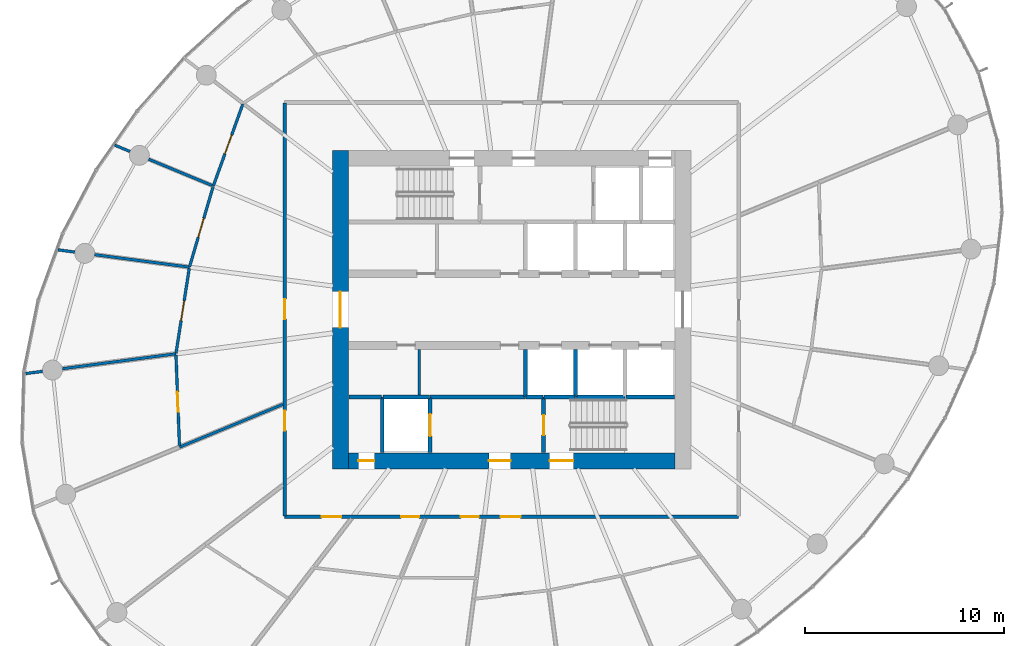
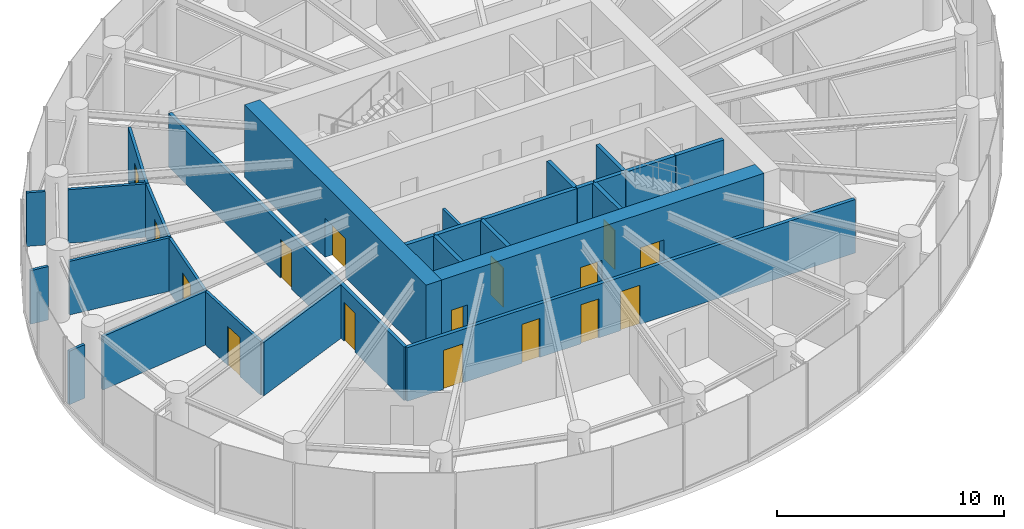
# One storey, part 9 of 14: 28 walls, 16 doors, 16 openings.
"""IFC4 building model written with IfcOpenShell, lengths in metres."""

import ifcopenshell
import ifcopenshell.guid

model = None  # the IFC model being written
_history = None  # IfcOwnerHistory: only IFC2X3 demands one
_inside = {}  # id of a spatial element -> (the spatial element, [elements in it])
_under = {}  # id of a project, library or spatial element -> (it, [spatial elements below it])
_declared = {}  # id of a project -> (the project, [libraries it declares])
_typed = {}  # id of a type object -> (the type object, [elements of that type])
_made_of = {}  # id of a material, layer set ... -> (it, [elements and type objects made of it])


def new_model(schema):
    """Start an empty IFC model of exactly this schema.

    Asked for "IFC4X3", IfcOpenShell would pick the latest addendum, in which some entities
    have other attributes; the version numbers below select the first issue.
    IFC2X3 requires an IfcOwnerHistory on every rooted entity: one is made here for all.
    """
    global model, _history
    if schema == "IFC4X3":
        model = ifcopenshell.file(schema_version=(4, 3, 0, 0))
    else:
        model = ifcopenshell.file(schema=schema)
    _inside.clear()
    _under.clear()
    _declared.clear()
    _typed.clear()
    _made_of.clear()
    _history = None
    if model.schema == "IFC2X3":
        org = make("IfcOrganization", Name="unknown")
        user = make(
            "IfcPersonAndOrganization",
            ThePerson=make("IfcPerson", FamilyName="unknown"),
            TheOrganization=org,
        )
        app = make(
            "IfcApplication",
            ApplicationDeveloper=org,
            Version="unknown",
            ApplicationFullName="unknown",
            ApplicationIdentifier="unknown",
        )
        _history = make(
            "IfcOwnerHistory",
            OwningUser=user,
            OwningApplication=app,
            ChangeAction="ADDED",
            CreationDate=0,
        )
    return model


def make(cls, **values):
    """One entity of the class cls with the attributes given. An attribute that is None is left unset."""
    return model.create_entity(
        cls, **{name: value for name, value in values.items() if value is not None}
    )


def rooted(cls, **values):
    """An entity with a GlobalId (a new one), such as an element, a storey or a relation."""
    return make(cls, GlobalId=ifcopenshell.guid.new(), OwnerHistory=_history, **values)


def si_unit(unit_type, name, prefix=None):
    """IfcSIUnit, for example si_unit("LENGTHUNIT", "METRE", prefix="MILLI")."""
    return make("IfcSIUnit", UnitType=unit_type, Prefix=prefix, Name=name)


def assignment(units):
    """IfcUnitAssignment: the units of a project."""
    return None if units is None else make("IfcUnitAssignment", Units=units)


def point(xyz):
    """IfcCartesianPoint."""
    return None if xyz is None else make("IfcCartesianPoint", Coordinates=xyz)


def direction(xyz):
    """IfcDirection."""
    return None if xyz is None else make("IfcDirection", DirectionRatios=xyz)


def frame(location, z_axis=None, x_axis=None):
    """IfcAxis2Placement3D, a coordinate frame: its origin and axes. An axis left out is left unset."""
    return make(
        "IfcAxis2Placement3D",
        Location=point(location),
        Axis=direction(z_axis),
        RefDirection=direction(x_axis),
    )


def frame_2d(location, x_axis=None):
    """IfcAxis2Placement2D, a coordinate frame in the plane: its origin and x axis."""
    return make(
        "IfcAxis2Placement2D", Location=point(location), RefDirection=direction(x_axis)
    )


def origin():
    """The frame at (0, 0, 0) with its axes left unset."""
    return frame((0.0, 0.0, 0.0))


def place(relative_to, where):
    """IfcLocalPlacement: puts the frame where relative to a parent placement (None: the world)."""
    return make(
        "IfcLocalPlacement", PlacementRelTo=relative_to, RelativePlacement=where
    )


def context(
    kind, dimensions, precision=None, world=None, true_north=None, identifier=None
):
    """IfcGeometricRepresentationContext, for example the 3D "Model" context."""
    return make(
        "IfcGeometricRepresentationContext",
        ContextIdentifier=identifier,
        ContextType=kind,
        CoordinateSpaceDimension=dimensions,
        Precision=precision,
        WorldCoordinateSystem=world,
        TrueNorth=true_north,
    )


def subcontext(parent, identifier, kind, view, scale=None):
    """IfcGeometricRepresentationSubContext, for example "Body" below "Model"."""
    return make(
        "IfcGeometricRepresentationSubContext",
        ContextIdentifier=identifier,
        ContextType=kind,
        ParentContext=parent,
        TargetScale=scale,
        TargetView=view,
    )


def project(units=None, contexts=None):
    """IfcProject with its units and contexts."""
    return rooted(
        "IfcProject",
        Name="project",
        RepresentationContexts=contexts,
        UnitsInContext=assignment(units),
    )


def spatial(cls, under=None, at=None, **own):
    """A site, building, storey or space (cls), placed at a placement, below another one or the project."""
    s = rooted(cls, ObjectPlacement=at, **own)
    if under is not None:
        _under.setdefault(under.id(), (under, []))[1].append(s)
    return s


def profile(cls, at=None, kind="AREA", **sizes):
    """A parametric profile (cls). Its sizes go by their IFC names, for example OverallWidth=200.0."""
    return make(cls, ProfileType=kind, Position=at, **sizes)


def rectangle(**sizes):
    """IfcRectangleProfileDef."""
    return profile("IfcRectangleProfileDef", **sizes)


def extrude(swept, where, along, depth):
    """IfcExtrudedAreaSolid: the profile swept, set in the frame where, extruded along a direction by depth."""
    return make(
        "IfcExtrudedAreaSolid",
        SweptArea=swept,
        Position=where,
        ExtrudedDirection=direction(along),
        Depth=depth,
    )


def shape(context_of_items, identifier, shape_type, items):
    """IfcShapeRepresentation: the items that make up one representation, for example the "Body"."""
    return make(
        "IfcShapeRepresentation",
        ContextOfItems=context_of_items,
        RepresentationIdentifier=identifier,
        RepresentationType=shape_type,
        Items=items,
    )


def source(mapping_origin, context_of_items, identifier, shape_type, items):
    """IfcRepresentationMap: a shape defined once, which mapped items show again and again."""
    return make(
        "IfcRepresentationMap",
        MappingOrigin=mapping_origin,
        MappedRepresentation=shape(context_of_items, identifier, shape_type, items),
    )


def transform(
    local_origin,
    x_axis=None,
    y_axis=None,
    z_axis=None,
    scale=None,
    scale2=None,
    scale3=None,
    uniform=True,
):
    """IfcCartesianTransformationOperator3D, or its non-uniform kind. x_axis, y_axis, z_axis: its Axis1, 2, 3."""
    if uniform:
        return make(
            "IfcCartesianTransformationOperator3D",
            Axis1=direction(x_axis),
            Axis2=direction(y_axis),
            LocalOrigin=point(local_origin),
            Scale=scale,
            Axis3=direction(z_axis),
        )
    return make(
        "IfcCartesianTransformationOperator3DnonUniform",
        Axis1=direction(x_axis),
        Axis2=direction(y_axis),
        LocalOrigin=point(local_origin),
        Scale=scale,
        Axis3=direction(z_axis),
        Scale2=scale2,
        Scale3=scale3,
    )


def mapped(mapping_source, mapping_target):
    """IfcMappedItem: shows the shape of a source again, moved by a transform."""
    return make(
        "IfcMappedItem", MappingSource=mapping_source, MappingTarget=mapping_target
    )


def material(Name=None, Category=None):
    """IfcMaterial."""
    return make("IfcMaterial", Name=Name, Category=Category)


def layer(
    of_material, thickness, ventilated=None, Name=None, Category=None, Priority=None
):
    """IfcMaterialLayer: one layer of a wall or slab, of a material (None: an air gap)."""
    return make(
        "IfcMaterialLayer",
        Material=of_material,
        LayerThickness=thickness,
        IsVentilated=ventilated,
        Name=Name,
        Category=Category,
        Priority=Priority,
    )


def layer_set(layers, Name=None):
    """IfcMaterialLayerSet."""
    return make("IfcMaterialLayerSet", MaterialLayers=layers, LayerSetName=Name)


def made_of(thing, what):
    """Note that an element or type object is made of a material, layer set ...; save() writes the relation."""
    if what is not None:
        _made_of.setdefault(what.id(), (what, []))[1].append(thing)
    return thing


def type_object(cls, material=None, **own):
    """A type object (cls), such as IfcWallType, which elements share."""
    return made_of(rooted(cls, **own), material)


def element(
    cls,
    number,
    at=None,
    inside=None,
    cuts=None,
    type_object=None,
    material=None,
    context=None,
    identifier="Body",
    shape_type=None,
    held_by="IfcProductDefinitionShape",
    body=None,
    shapes=None,
    **own,
):
    """One element of the class cls, such as IfcWall. Its Tag is "e" and its number.

    at: its placement. inside: the storey or other place that contains it. cuts: it is an
    opening in that element (IfcRelVoidsElement). A single representation is given by context,
    identifier, shape_type and body (its items); several are given by shapes. held_by: the class
    of the entity that holds the representations. save() writes the other relations.
    """
    e = rooted(cls, Tag="e%d" % number, ObjectPlacement=at, **own)
    if body is not None:
        shapes = [shape(context, identifier, shape_type, body)]
    if shapes is not None:
        e.Representation = make(held_by, Representations=shapes)
    if inside is not None:
        _inside.setdefault(inside.id(), (inside, []))[1].append(e)
    if cuts is not None:
        rooted(
            "IfcRelVoidsElement", RelatingBuildingElement=cuts, RelatedOpeningElement=e
        )
    if type_object is not None:
        _typed.setdefault(type_object.id(), (type_object, []))[1].append(e)
    return made_of(e, material)


def fill(opening, filler):
    """IfcRelFillsElement: the door or window that sits in an opening."""
    return rooted(
        "IfcRelFillsElement",
        RelatingOpeningElement=opening,
        RelatedBuildingElement=filler,
    )


def aggregate(whole, parts):
    """IfcRelAggregates: a whole, such as a stair, and the parts it consists of."""
    return rooted("IfcRelAggregates", RelatingObject=whole, RelatedObjects=parts)


def save(model, path):
    """Write the relations noted so far, then the file.

    IfcRelAggregates (storeys below a building ...), IfcRelContainedInSpatialStructure (elements
    in a storey), IfcRelDefinesByType, IfcRelAssociatesMaterial and IfcRelDeclares: one each for
    every whole, place, type object, material and project.
    """
    for whole, parts in _under.values():
        aggregate(whole, parts)
    for where, things in _inside.values():
        rooted(
            "IfcRelContainedInSpatialStructure",
            RelatedElements=things,
            RelatingStructure=where,
        )
    for kind, things in _typed.values():
        rooted("IfcRelDefinesByType", RelatedObjects=things, RelatingType=kind)
    for what, things in _made_of.values():
        rooted("IfcRelAssociatesMaterial", RelatedObjects=things, RelatingMaterial=what)
    for by, libraries in _declared.values():
        rooted("IfcRelDeclares", RelatingContext=by, RelatedDefinitions=libraries)
    model.write(path)


model = new_model("IFC4")

# Units and contexts
model_context = context("Model", 3, precision=1e-05, world=origin(), true_north=direction((0.0, 1.0)))
body_context = subcontext(model_context, "Body", "Model", "MODEL_VIEW")
ifc_project = project(units=[si_unit("LENGTHUNIT", "METRE"), si_unit("AREAUNIT", "SQUARE_METRE"), si_unit("VOLUMEUNIT", "CUBIC_METRE"), si_unit("PLANEANGLEUNIT", "RADIAN"), si_unit("MASSUNIT", "GRAM", prefix="KILO")], contexts=[model_context])

# Site, building, storey
site_placement = place(None, origin())
site = spatial("IfcSite", under=ifc_project, at=site_placement, CompositionType="ELEMENT")
building_placement = place(site_placement, origin())
building = spatial("IfcBuilding", under=site, at=building_placement, Name="Spindrift Exchange Tower", CompositionType="ELEMENT")
storey_placement = place(building_placement, frame((0.0, 0.0, 152.60009765625)))
storey = spatial("IfcBuildingStorey", under=building, at=storey_placement, Name="L36", CompositionType="ELEMENT", Elevation=152.60009765625)

# Wall, opening, door
ifc_material_1 = material(Name="Concrete 65 MPa", Category="concrete")
ifc_layer_1 = layer(ifc_material_1, 0.800048828125)
ifc_layer_set_1 = layer_set([ifc_layer_1], Name="RC Core Wall 800 Concrete 65 MPa")
wall_type_1 = type_object("IfcWallType", Name="RC Core Wall 800 Concrete 65 MPa", PredefinedType="SHEAR", material=ifc_layer_set_1)
wall_1_placement = place(storey_placement, frame((43.39990234375, 56.0, 0.0), z_axis=(0.0, 0.0, 1.0), x_axis=(0.0, -1.0, 0.0)))
wall_1 = element("IfcWall", 1, at=wall_1_placement, inside=storey, type_object=wall_type_1, Name="Core wall W L36", PredefinedType="SHEAR", context=body_context, shape_type="SweptSolid", body=[
    extrude(rectangle(XDim=16.0, YDim=0.800048828125, at=frame_2d((8.0, 0.0))), origin(), (0.0, 0.0, 1.0), 3.89990234375),
])
opening_1_placement = place(wall_1_placement, frame((7.10009765625, 0.0, 0.0)))
opening_1 = element("IfcOpeningElement", 2, at=opening_1_placement, cuts=wall_1, Name="Opening L36-D1", PredefinedType="OPENING", context=body_context, shape_type="SweptSolid", body=[
    extrude(rectangle(XDim=1.800048828125, YDim=2.10009765625, at=frame_2d((0.89990234375, 1.050048828125))), frame((0.0, 0.409912109375, 0.0), z_axis=(0.0, -1.0, 0.0), x_axis=(1.0, 0.0, 0.0)), (0.0, 0.0, 1.0), 0.820068359375),
])
ifc_material_2 = material(Name="Timber-core fire door", Category="wood")
door_type_1 = type_object("IfcDoorType", Name="DR-LOBBY-1800", OperationType="NOTDEFINED", PredefinedType="DOOR", material=ifc_material_2)
shared_shape_1 = source(origin(), body_context, "Body", "SweptSolid", [
    extrude(rectangle(XDim=1.800048828125, YDim=2.10009765625, at=frame_2d((0.89990234375, 1.050048828125))), frame((0.0, 0.02490234375, 0.0), z_axis=(0.0, -1.0, 0.0), x_axis=(1.0, 0.0, 0.0)), (0.0, 0.0, 1.0), 0.050048828125),
])
door_1_placement = place(opening_1_placement, origin())
door_1 = element("IfcDoor", 3, at=door_1_placement, inside=storey, type_object=door_type_1, Name="L36 Lobby door 1", OperationType="SINGLE_SWING_RIGHT", OverallHeight=2.10009765625, OverallWidth=1.800048828125, PredefinedType="DOOR", context=body_context, shape_type="MappedRepresentation", body=[
    mapped(shared_shape_1, transform((0.0, 0.0, 0.0), scale=1.0)),
])
fill(opening_1, door_1)

# Wall, openings, doors
wall_2_placement = place(storey_placement, frame((43.800048828125, 40.39990234375, 0.0), z_axis=(0.0, 0.0, 1.0), x_axis=(1.0, 0.0, 0.0)))
wall_2 = element("IfcWall", 4, at=wall_2_placement, inside=storey, type_object=wall_type_1, Name="Core wall S L36", PredefinedType="SHEAR", context=body_context, shape_type="SweptSolid", body=[
    extrude(rectangle(XDim=16.39990234375, YDim=0.800048828125, at=frame_2d((8.199951171875, 0.0))), origin(), (0.0, 0.0, 1.0), 3.89990234375),
])
opening_2_placement = place(wall_2_placement, frame((10.10009765625, 0.0, 0.0)))
opening_2 = element("IfcOpeningElement", 5, at=opening_2_placement, cuts=wall_2, Name="Opening L36-D15", PredefinedType="OPENING", context=body_context, shape_type="SweptSolid", body=[
    extrude(rectangle(XDim=1.199951171875, YDim=2.10009765625, at=frame_2d((0.60009765625, 1.050048828125))), frame((0.0, 0.409912109375, 0.0), z_axis=(0.0, -1.0, 0.0), x_axis=(1.0, 0.0, 0.0)), (0.0, 0.0, 1.0), 0.820068359375),
])
opening_3_placement = place(wall_2_placement, frame((7.050048828125, 0.0, 0.0)))
opening_3 = element("IfcOpeningElement", 6, at=opening_3_placement, cuts=wall_2, Name="Opening L36-D17", PredefinedType="OPENING", context=body_context, shape_type="SweptSolid", body=[
    extrude(rectangle(XDim=1.10009765625, YDim=2.10009765625, at=frame_2d((0.550048828125, 1.050048828125))), frame((0.0, 0.409912109375, 0.0), z_axis=(0.0, -1.0, 0.0), x_axis=(1.0, 0.0, 0.0)), (0.0, 0.0, 1.0), 0.820068359375),
])
opening_4_placement = place(wall_2_placement, frame((0.5, 0.0, 0.0)))
opening_4 = element("IfcOpeningElement", 7, at=opening_4_placement, cuts=wall_2, Name="Opening L36-D18", PredefinedType="OPENING", context=body_context, shape_type="SweptSolid", body=[
    extrude(rectangle(XDim=0.800048828125, YDim=2.10009765625, at=frame_2d((0.39990234375, 1.050048828125))), frame((0.0, 0.409912109375, 0.0), z_axis=(0.0, -1.0, 0.0), x_axis=(1.0, 0.0, 0.0)), (0.0, 0.0, 1.0), 0.820068359375),
])
ifc_material_3 = material(Name="Steel fire door", Category="steel")
door_type_2 = type_object("IfcDoorType", Name="DR-STAIR-1200", OperationType="NOTDEFINED", PredefinedType="DOOR", material=ifc_material_3)
shared_shape_2 = source(origin(), body_context, "Body", "SweptSolid", [
    extrude(rectangle(XDim=1.199951171875, YDim=2.10009765625, at=frame_2d((0.60009765625, 1.050048828125))), frame((0.0, 0.02490234375, 0.0), z_axis=(0.0, -1.0, 0.0), x_axis=(1.0, 0.0, 0.0)), (0.0, 0.0, 1.0), 0.050048828125),
])
door_2_placement = place(opening_2_placement, origin())
door_2 = element("IfcDoor", 8, at=door_2_placement, inside=storey, type_object=door_type_2, Name="L36 Stair door 15", OperationType="SINGLE_SWING_LEFT", OverallHeight=2.10009765625, OverallWidth=1.199951171875, PredefinedType="DOOR", context=body_context, shape_type="MappedRepresentation", body=[
    mapped(shared_shape_2, transform((0.0, 0.0, 0.0), scale=1.0)),
])
fill(opening_2, door_2)
door_type_3 = type_object("IfcDoorType", Name="DR-LOBBY-1100", OperationType="NOTDEFINED", PredefinedType="DOOR", material=ifc_material_2)
shared_shape_3 = source(origin(), body_context, "Body", "SweptSolid", [
    extrude(rectangle(XDim=1.10009765625, YDim=2.10009765625, at=frame_2d((0.550048828125, 1.050048828125))), frame((0.0, 0.02490234375, 0.0), z_axis=(0.0, -1.0, 0.0), x_axis=(1.0, 0.0, 0.0)), (0.0, 0.0, 1.0), 0.050048828125),
])
door_3_placement = place(opening_3_placement, origin())
door_3 = element("IfcDoor", 9, at=door_3_placement, inside=storey, type_object=door_type_3, Name="L36 Lobby door 17", OperationType="SINGLE_SWING_LEFT", OverallHeight=2.10009765625, OverallWidth=1.10009765625, PredefinedType="DOOR", context=body_context, shape_type="MappedRepresentation", body=[
    mapped(shared_shape_3, transform((0.0, 0.0, 0.0), scale=1.0)),
])
fill(opening_3, door_3)
ifc_material_4 = material(Name="Steel access door", Category="steel")
door_type_4 = type_object("IfcDoorType", Name="DR-RISER-800", OperationType="NOTDEFINED", PredefinedType="DOOR", material=ifc_material_4)
shared_shape_4 = source(origin(), body_context, "Body", "SweptSolid", [
    extrude(rectangle(XDim=0.800048828125, YDim=2.10009765625, at=frame_2d((0.39990234375, 1.050048828125))), frame((0.0, 0.02490234375, 0.0), z_axis=(0.0, -1.0, 0.0), x_axis=(1.0, 0.0, 0.0)), (0.0, 0.0, 1.0), 0.050048828125),
])
door_4_placement = place(opening_4_placement, origin())
door_4 = element("IfcDoor", 10, at=door_4_placement, inside=storey, type_object=door_type_4, Name="L36 Riser door 18", OperationType="SINGLE_SWING_RIGHT", OverallHeight=2.10009765625, OverallWidth=0.800048828125, PredefinedType="DOOR", context=body_context, shape_type="MappedRepresentation", body=[
    mapped(shared_shape_4, transform((0.0, 0.0, 0.0), scale=1.0)),
])
fill(opening_4, door_4)

ifc_material_5 = material(Name="Fire-rated plasterboard partition", Category="gypsum")
ifc_layer_2 = layer(ifc_material_5, 0.179931640625)
ifc_layer_set_2 = layer_set([ifc_layer_2], Name="W-CORR-180")
wall_type_2 = type_object("IfcWallType", Name="W-CORR-180", PredefinedType="PARTITIONING", material=ifc_layer_set_2)
wall_3_placement = place(storey_placement, frame((63.39990234375, 37.60009765625, 0.0), z_axis=(0.0, 0.0, 1.0), x_axis=(-1.0, 0.0, 0.0)))
wall_3 = element("IfcWall", 11, at=wall_3_placement, inside=storey, type_object=wall_type_2, Name="L36 Partition wall 28", PredefinedType="PARTITIONING", context=body_context, shape_type="SweptSolid", body=[
    extrude(rectangle(XDim=22.7998046875, YDim=0.179931640625, at=frame_2d((11.39990234375, 0.0))), origin(), (0.0, 0.0, 1.0), 2.8798828125),
])
opening_5_placement = place(wall_3_placement, frame((16.050048828125, 0.0, 0.0)))
opening_5 = element("IfcOpeningElement", 12, at=opening_5_placement, cuts=wall_3, Name="Opening L36-D19", PredefinedType="OPENING", context=body_context, shape_type="SweptSolid", body=[
    extrude(rectangle(XDim=0.89990234375, YDim=2.10009765625, at=frame_2d((0.449951171875, 1.050048828125))), frame((0.0, 0.099853515625, 0.0), z_axis=(0.0, -1.0, 0.0), x_axis=(1.0, 0.0, 0.0)), (0.0, 0.0, 1.0), 0.199951171875),
])
opening_6_placement = place(wall_3_placement, frame((13.050048828125, 0.0, 0.0)))
opening_6 = element("IfcOpeningElement", 13, at=opening_6_placement, cuts=wall_3, Name="Opening L36-D20", PredefinedType="OPENING", context=body_context, shape_type="SweptSolid", body=[
    extrude(rectangle(XDim=0.89990234375, YDim=2.10009765625, at=frame_2d((0.449951171875, 1.050048828125))), frame((0.0, 0.099853515625, 0.0), z_axis=(0.0, -1.0, 0.0), x_axis=(1.0, 0.0, 0.0)), (0.0, 0.0, 1.0), 0.199951171875),
])
opening_7_placement = place(wall_3_placement, frame((10.949951171875, 0.0, 0.0)))
opening_7 = element("IfcOpeningElement", 14, at=opening_7_placement, cuts=wall_3, Name="Opening L36-D21", PredefinedType="OPENING", context=body_context, shape_type="SweptSolid", body=[
    extrude(rectangle(XDim=1.0, YDim=2.10009765625, at=frame_2d((0.5, 1.050048828125))), frame((0.0, 0.099853515625, 0.0), z_axis=(0.0, -1.0, 0.0), x_axis=(1.0, 0.0, 0.0)), (0.0, 0.0, 1.0), 0.199951171875),
])
opening_8_placement = place(wall_3_placement, frame((19.949951171875, 0.0, 0.0)))
opening_8 = element("IfcOpeningElement", 15, at=opening_8_placement, cuts=wall_3, Name="Opening L36-D43", PredefinedType="OPENING", context=body_context, shape_type="SweptSolid", body=[
    extrude(rectangle(XDim=1.0, YDim=2.10009765625, at=frame_2d((0.5, 1.050048828125))), frame((0.0, 0.099853515625, 0.0), z_axis=(0.0, -1.0, 0.0), x_axis=(1.0, 0.0, 0.0)), (0.0, 0.0, 1.0), 0.199951171875),
])
door_type_5 = type_object("IfcDoorType", Name="DR-ROOM-1000", OperationType="NOTDEFINED", PredefinedType="DOOR", material=ifc_material_2)
shared_shape_5 = source(origin(), body_context, "Body", "SweptSolid", [
    extrude(rectangle(XDim=1.0, YDim=2.10009765625, at=frame_2d((0.5, 1.050048828125))), frame((0.0, 0.02490234375, 0.0), z_axis=(0.0, -1.0, 0.0), x_axis=(1.0, 0.0, 0.0)), (0.0, 0.0, 1.0), 0.050048828125),
])
door_5_placement = place(opening_7_placement, origin())
door_5 = element("IfcDoor", 16, at=door_5_placement, inside=storey, type_object=door_type_5, Name="L36 Door 21", OperationType="SINGLE_SWING_LEFT", OverallHeight=2.10009765625, OverallWidth=1.0, PredefinedType="DOOR", context=body_context, shape_type="MappedRepresentation", body=[
    mapped(shared_shape_5, transform((0.0, 0.0, 0.0), scale=1.0)),
])
fill(opening_7, door_5)
door_6_placement = place(opening_8_placement, origin())
door_6 = element("IfcDoor", 17, at=door_6_placement, inside=storey, type_object=door_type_5, Name="L36 Door 43", OperationType="SINGLE_SWING_LEFT", OverallHeight=2.10009765625, OverallWidth=1.0, PredefinedType="DOOR", context=body_context, shape_type="MappedRepresentation", body=[
    mapped(shared_shape_5, transform((0.0, 0.0, 0.0), scale=1.0)),
])
fill(opening_8, door_6)
ifc_material_6 = material(Name="Laminate washroom door", Category="wood")
door_type_6 = type_object("IfcDoorType", Name="DR-WC-900", OperationType="NOTDEFINED", PredefinedType="DOOR", material=ifc_material_6)
shared_shape_6 = source(origin(), body_context, "Body", "SweptSolid", [
    extrude(rectangle(XDim=0.89990234375, YDim=2.10009765625, at=frame_2d((0.449951171875, 1.050048828125))), frame((0.0, 0.02490234375, 0.0), z_axis=(0.0, -1.0, 0.0), x_axis=(1.0, 0.0, 0.0)), (0.0, 0.0, 1.0), 0.050048828125),
])
door_7_placement = place(opening_5_placement, origin())
door_7 = element("IfcDoor", 18, at=door_7_placement, inside=storey, type_object=door_type_6, Name="L36 WC door 19", OperationType="SINGLE_SWING_LEFT", OverallHeight=2.10009765625, OverallWidth=0.89990234375, PredefinedType="DOOR", context=body_context, shape_type="MappedRepresentation", body=[
    mapped(shared_shape_6, transform((0.0, 0.0, 0.0), scale=1.0)),
])
fill(opening_5, door_7)
door_8_placement = place(opening_6_placement, origin())
door_8 = element("IfcDoor", 19, at=door_8_placement, inside=storey, type_object=door_type_6, Name="L36 WC door 20", OperationType="SINGLE_SWING_RIGHT", OverallHeight=2.10009765625, OverallWidth=0.89990234375, PredefinedType="DOOR", context=body_context, shape_type="MappedRepresentation", body=[
    mapped(shared_shape_6, transform((0.0, 0.0, 0.0), scale=1.0)),
])
fill(opening_6, door_8)

wall_4_placement = place(storey_placement, frame((40.60009765625, 37.6298828125, 0.0), z_axis=(0.0, 0.0, 1.0), x_axis=(0.0, 1.0, 0.0)))
wall_4 = element("IfcWall", 20, at=wall_4_placement, inside=storey, type_object=wall_type_2, Name="L36 Partition wall 30", PredefinedType="PARTITIONING", context=body_context, shape_type="SweptSolid", body=[
    extrude(rectangle(XDim=20.740234375, YDim=0.179931640625, at=frame_2d((10.3701171875, 0.0))), origin(), (0.0, 0.0, 1.0), 2.8798828125),
])
opening_9_placement = place(wall_4_placement, frame((9.889892578125, 0.0, 0.0)))
opening_9 = element("IfcOpeningElement", 21, at=opening_9_placement, cuts=wall_4, Name="Opening L36-D37", PredefinedType="OPENING", context=body_context, shape_type="SweptSolid", body=[
    extrude(rectangle(XDim=1.0, YDim=2.10009765625, at=frame_2d((0.5, 1.050048828125))), frame((0.0, 0.099853515625, 0.0), z_axis=(0.0, -1.0, 0.0), x_axis=(1.0, 0.0, 0.0)), (0.0, 0.0, 1.0), 0.199951171875),
])
opening_10_placement = place(wall_4_placement, frame((4.2900390625, 0.0, 0.0)))
opening_10 = element("IfcOpeningElement", 22, at=opening_10_placement, cuts=wall_4, Name="Opening L36-D42", PredefinedType="OPENING", context=body_context, shape_type="SweptSolid", body=[
    extrude(rectangle(XDim=1.0, YDim=2.10009765625, at=frame_2d((0.5, 1.050048828125))), frame((0.0, 0.099853515625, 0.0), z_axis=(0.0, -1.0, 0.0), x_axis=(1.0, 0.0, 0.0)), (0.0, 0.0, 1.0), 0.199951171875),
])
door_9_placement = place(opening_9_placement, origin())
door_9 = element("IfcDoor", 23, at=door_9_placement, inside=storey, type_object=door_type_5, Name="L36 Door 37", OperationType="SINGLE_SWING_LEFT", OverallHeight=2.10009765625, OverallWidth=1.0, PredefinedType="DOOR", context=body_context, shape_type="MappedRepresentation", body=[
    mapped(shared_shape_5, transform((0.0, 0.0, 0.0), scale=1.0)),
])
fill(opening_9, door_9)
door_10_placement = place(opening_10_placement, origin())
door_10 = element("IfcDoor", 24, at=door_10_placement, inside=storey, type_object=door_type_5, Name="L36 Door 42", OperationType="SINGLE_SWING_RIGHT", OverallHeight=2.10009765625, OverallWidth=1.0, PredefinedType="DOOR", context=body_context, shape_type="MappedRepresentation", body=[
    mapped(shared_shape_5, transform((0.0, 0.0, 0.0), scale=1.0)),
])
fill(opening_10, door_10)

# Walls
ifc_layer_3 = layer(ifc_material_5, 0.139892578125)
ifc_layer_set_3 = layer_set([ifc_layer_3], Name="W-PART-140")
wall_type_3 = type_object("IfcWallType", Name="W-PART-140", PredefinedType="PARTITIONING", material=ifc_layer_set_3)
wall_5_placement = place(storey_placement, frame((35.138671875, 45.7802734375, 0.0), z_axis=(0.0, 0.0, 1.0), x_axis=(-0.99144533292, -0.130522610424, 0.0)))
element("IfcWall", 25, at=wall_5_placement, inside=storey, type_object=wall_type_3, Name="L36 Partition wall 34", PredefinedType="PARTITIONING", context=body_context, shape_type="SweptSolid", body=[
    extrude(rectangle(XDim=5.749755859375, YDim=0.139892578125, at=frame_2d((2.875, 0.0))), origin(), (0.0, 0.0, 1.0), 2.8798828125),
])
wall_6_placement = place(storey_placement, frame((40.510009765625, 43.24072265625, 0.0), z_axis=(0.0, 0.0, 1.0), x_axis=(-0.92387220975, -0.382701110597, 0.0)))
element("IfcWall", 26, at=wall_6_placement, inside=storey, type_object=wall_type_3, Name="L36 Partition wall 36", PredefinedType="PARTITIONING", context=body_context, shape_type="SweptSolid", body=[
    extrude(rectangle(XDim=5.6171875, YDim=0.139892578125, at=frame_2d((2.80859375, 0.0))), origin(), (0.0, 0.0, 1.0), 2.8798828125),
])
wall_7_placement = place(storey_placement, frame((35.8173828125, 50.130615234375, 0.0), z_axis=(0.0, 0.0, 1.0), x_axis=(-0.991450832312, 0.13048083042, 0.0)))
element("IfcWall", 27, at=wall_7_placement, inside=storey, type_object=wall_type_3, Name="L36 Partition wall 45", PredefinedType="PARTITIONING", context=body_context, shape_type="SweptSolid", body=[
    extrude(rectangle(XDim=4.79931640625, YDim=0.139892578125, at=frame_2d((2.399658203125, 0.0))), origin(), (0.0, 0.0, 1.0), 2.8798828125),
])

# Wall, opening, door
wall_8_placement = place(storey_placement, frame((35.317626953125, 41.165771484375, 0.0), z_axis=(0.0, 0.0, 1.0), x_axis=(-0.038760942668, 0.999248512295, 0.0)))
wall_8 = element("IfcWall", 28, at=wall_8_placement, inside=storey, type_object=wall_type_3, Name="L36 Partition wall 46", PredefinedType="PARTITIONING", context=body_context, shape_type="SweptSolid", body=[
    extrude(rectangle(XDim=4.547607421875, YDim=0.139892578125, at=frame_2d((2.27392578125, 0.0))), origin(), (0.0, 0.0, 1.0), 2.8798828125),
])
opening_11_placement = place(wall_8_placement, frame((1.697509765625, 0.0, 0.0)))
opening_11 = element("IfcOpeningElement", 29, at=opening_11_placement, cuts=wall_8, Name="Opening L36-D41", PredefinedType="OPENING", context=body_context, shape_type="SweptSolid", body=[
    extrude(rectangle(XDim=1.0, YDim=2.10009765625, at=frame_2d((0.5, 1.050048828125))), frame((0.0, 0.079833984375, 0.0), z_axis=(0.0, -1.0, 0.0), x_axis=(1.0, 0.0, 0.0)), (0.0, 0.0, 1.0), 0.159912109375),
])
door_11_placement = place(opening_11_placement, origin())
door_11 = element("IfcDoor", 30, at=door_11_placement, inside=storey, type_object=door_type_5, Name="L36 Door 41", OperationType="SINGLE_SWING_LEFT", OverallHeight=2.10009765625, OverallWidth=1.0, PredefinedType="DOOR", context=body_context, shape_type="MappedRepresentation", body=[
    mapped(shared_shape_5, transform((0.0, 0.0, 0.0), scale=1.0)),
])
fill(opening_11, door_11)

wall_9_placement = place(storey_placement, frame((37.015869140625, 54.20654296875, 0.0), z_axis=(0.0, 0.0, 1.0), x_axis=(0.339349662801, 0.940660303381, 0.0)))
wall_9 = element("IfcWall", 31, at=wall_9_placement, inside=storey, type_object=wall_type_3, Name="L36 Partition wall 49", PredefinedType="PARTITIONING", context=body_context, shape_type="SweptSolid", body=[
    extrude(rectangle(XDim=4.375732421875, YDim=0.139892578125, at=frame_2d((2.18798828125, 0.0))), origin(), (0.0, 0.0, 1.0), 2.8798828125),
])
opening_12_placement = place(wall_9_placement, frame((1.725341796875, 0.0, 0.0)))
opening_12 = element("IfcOpeningElement", 32, at=opening_12_placement, cuts=wall_9, Name="Opening L36-D38", PredefinedType="OPENING", context=body_context, shape_type="SweptSolid", body=[
    extrude(rectangle(XDim=1.0, YDim=2.10009765625, at=frame_2d((0.5, 1.050048828125))), frame((0.0, 0.079833984375, 0.0), z_axis=(0.0, -1.0, 0.0), x_axis=(1.0, 0.0, 0.0)), (0.0, 0.0, 1.0), 0.159912109375),
])
door_12_placement = place(opening_12_placement, origin())
door_12 = element("IfcDoor", 33, at=door_12_placement, inside=storey, type_object=door_type_5, Name="L36 Door 38", OperationType="SINGLE_SWING_RIGHT", OverallHeight=2.10009765625, OverallWidth=1.0, PredefinedType="DOOR", context=body_context, shape_type="MappedRepresentation", body=[
    mapped(shared_shape_5, transform((0.0, 0.0, 0.0), scale=1.0)),
])
fill(opening_12, door_12)

wall_10_placement = place(storey_placement, frame((35.143310546875, 45.809814453125, 0.0), z_axis=(0.0, 0.0, 1.0), x_axis=(0.154158792567, 0.988046085299, 0.0)))
wall_10 = element("IfcWall", 34, at=wall_10_placement, inside=storey, type_object=wall_type_3, Name="L36 Partition wall 50", PredefinedType="PARTITIONING", context=body_context, shape_type="SweptSolid", body=[
    extrude(rectangle(XDim=4.302978515625, YDim=0.139892578125, at=frame_2d((2.1513671875, 0.0))), origin(), (0.0, 0.0, 1.0), 2.8798828125),
])
opening_13_placement = place(wall_10_placement, frame((1.653076171875, 0.0, 0.0)))
opening_13 = element("IfcOpeningElement", 35, at=opening_13_placement, cuts=wall_10, Name="Opening L36-D40", PredefinedType="OPENING", context=body_context, shape_type="SweptSolid", body=[
    extrude(rectangle(XDim=1.0, YDim=2.10009765625, at=frame_2d((0.5, 1.050048828125))), frame((0.0, 0.079833984375, 0.0), z_axis=(0.0, -1.0, 0.0), x_axis=(1.0, 0.0, 0.0)), (0.0, 0.0, 1.0), 0.159912109375),
])
door_13_placement = place(opening_13_placement, origin())
door_13 = element("IfcDoor", 36, at=door_13_placement, inside=storey, type_object=door_type_5, Name="L36 Door 40", OperationType="SINGLE_SWING_RIGHT", OverallHeight=2.10009765625, OverallWidth=1.0, PredefinedType="DOOR", context=body_context, shape_type="MappedRepresentation", body=[
    mapped(shared_shape_5, transform((0.0, 0.0, 0.0), scale=1.0)),
])
fill(opening_13, door_13)

wall_11_placement = place(storey_placement, frame((35.825927734375, 50.1591796875, 0.0), z_axis=(0.0, 0.0, 1.0), x_axis=(0.28208743745, 0.959388699971, 0.0)))
wall_11 = element("IfcWall", 37, at=wall_11_placement, inside=storey, type_object=wall_type_3, Name="L36 Partition wall 54", PredefinedType="PARTITIONING", context=body_context, shape_type="SweptSolid", body=[
    extrude(rectangle(XDim=4.18896484375, YDim=0.139892578125, at=frame_2d((2.094482421875, 0.0))), origin(), (0.0, 0.0, 1.0), 2.8798828125),
])
opening_14_placement = place(wall_11_placement, frame((1.538818359375, 0.0, 0.0)))
opening_14 = element("IfcOpeningElement", 38, at=opening_14_placement, cuts=wall_11, Name="Opening L36-D39", PredefinedType="OPENING", context=body_context, shape_type="SweptSolid", body=[
    extrude(rectangle(XDim=1.0, YDim=2.10009765625, at=frame_2d((0.5, 1.050048828125))), frame((0.0, 0.079833984375, 0.0), z_axis=(0.0, -1.0, 0.0), x_axis=(1.0, 0.0, 0.0)), (0.0, 0.0, 1.0), 0.159912109375),
])
door_14_placement = place(opening_14_placement, origin())
door_14 = element("IfcDoor", 39, at=door_14_placement, inside=storey, type_object=door_type_5, Name="L36 Door 39", OperationType="SINGLE_SWING_LEFT", OverallHeight=2.10009765625, OverallWidth=1.0, PredefinedType="DOOR", context=body_context, shape_type="MappedRepresentation", body=[
    mapped(shared_shape_5, transform((0.0, 0.0, 0.0), scale=1.0)),
])
fill(opening_14, door_14)

# Walls
wall_12_placement = place(storey_placement, frame((36.951171875, 54.2333984375, 0.0), z_axis=(0.0, 0.0, 1.0), x_axis=(-0.923873497733, 0.382698001285, 0.0)))
element("IfcWall", 40, at=wall_12_placement, inside=storey, type_object=wall_type_3, Name="L36 Partition wall 66", PredefinedType="PARTITIONING", context=body_context, shape_type="SweptSolid", body=[
    extrude(rectangle(XDim=3.4462890625, YDim=0.139892578125, at=frame_2d((1.72314453125, 0.0))), origin(), (0.0, 0.0, 1.0), 2.8798828125),
])
wall_13_placement = place(storey_placement, frame((47.360107421875, 43.699951171875, 0.0), z_axis=(0.0, 0.0, 1.0), x_axis=(0.0, 1.0, 0.0)))
element("IfcWall", 41, at=wall_13_placement, inside=storey, type_object=wall_type_3, Name="L36 Partition wall 74", PredefinedType="PARTITIONING", context=body_context, shape_type="SweptSolid", body=[
    extrude(rectangle(XDim=2.2900390625, YDim=0.139892578125, at=frame_2d((1.14501953125, 0.0))), origin(), (0.0, 0.0, 1.0), 2.8798828125),
])
wall_14_placement = place(storey_placement, frame((30.058837890625, 50.888671875, 0.0), z_axis=(0.0, 0.0, 1.0), x_axis=(-0.991446500326, 0.130513742537, 0.0)))
element("IfcWall", 42, at=wall_14_placement, inside=storey, type_object=wall_type_3, Name="L36 Partition wall 87", PredefinedType="PARTITIONING", context=body_context, shape_type="SweptSolid", body=[
    extrude(rectangle(XDim=0.85302734375, YDim=0.139892578125, at=frame_2d((0.426513671875, 0.0))), origin(), (0.0, 0.0, 1.0), 2.8798828125),
])
wall_15_placement = place(storey_placement, frame((28.43798828125, 44.89794921875, 0.0), z_axis=(0.0, 0.0, 1.0), x_axis=(-0.991432738393, -0.130618242377, 0.0)))
element("IfcWall", 43, at=wall_15_placement, inside=storey, type_object=wall_type_3, Name="L36 Partition wall 92", PredefinedType="PARTITIONING", context=body_context, shape_type="SweptSolid", body=[
    extrude(rectangle(XDim=0.8486328125, YDim=0.139892578125, at=frame_2d((0.42431640625, 0.0))), origin(), (0.0, 0.0, 1.0), 2.8798828125),
])
wall_16_placement = place(storey_placement, frame((32.833984375, 55.938720703125, 0.0), z_axis=(0.0, 0.0, 1.0), x_axis=(-0.923909393783, 0.382611332921, 0.0)))
element("IfcWall", 44, at=wall_16_placement, inside=storey, type_object=wall_type_3, Name="L36 Partition wall 94", PredefinedType="PARTITIONING", context=body_context, shape_type="SweptSolid", body=[
    extrude(rectangle(XDim=0.830810546875, YDim=0.139892578125, at=frame_2d((0.41552734375, 0.0))), origin(), (0.0, 0.0, 1.0), 2.8798828125),
])
ifc_material_7 = material(Name="Concrete 40 MPa", Category="concrete")
ifc_layer_4 = layer(ifc_material_7, 0.199951171875)
ifc_layer_set_4 = layer_set([ifc_layer_4], Name="W-SHAFT-200")
wall_type_4 = type_object("IfcWallType", Name="W-SHAFT-200", PredefinedType="SOLIDWALL", material=ifc_layer_set_4)
wall_17_placement = place(storey_placement, frame((52.699951171875, 43.60009765625, 0.0), z_axis=(0.0, 0.0, 1.0), x_axis=(-1.0, 0.0, 0.0)))
element("IfcWall", 45, at=wall_17_placement, inside=storey, type_object=wall_type_4, Name="L36 Shaft wall 2", PredefinedType="SOLIDWALL", context=body_context, shape_type="SweptSolid", body=[
    extrude(rectangle(XDim=4.800048828125, YDim=0.199951171875, at=frame_2d((2.39990234375, 0.0))), origin(), (0.0, 0.0, 1.0), 3.579833984375),
])
wall_18_placement = place(storey_placement, frame((45.5, 43.60009765625, 0.0), z_axis=(0.0, 0.0, 1.0), x_axis=(0.0, -1.0, 0.0)))
element("IfcWall", 46, at=wall_18_placement, inside=storey, type_object=wall_type_4, Name="L36 Shaft wall 3", PredefinedType="SOLIDWALL", context=body_context, shape_type="SweptSolid", body=[
    extrude(rectangle(XDim=2.780029296875, YDim=0.199951171875, at=frame_2d((1.39013671875, 0.0))), origin(), (0.0, 0.0, 1.0), 3.579833984375),
])

# Wall, opening, door
wall_19_placement = place(storey_placement, frame((47.89990234375, 40.820068359375, 0.0), z_axis=(0.0, 0.0, 1.0), x_axis=(0.0, 1.0, 0.0)))
wall_19 = element("IfcWall", 47, at=wall_19_placement, inside=storey, type_object=wall_type_4, Name="L36 Shaft wall 4", PredefinedType="SOLIDWALL", context=body_context, shape_type="SweptSolid", body=[
    extrude(rectangle(XDim=2.75, YDim=0.199951171875, at=frame_2d((1.375, 0.0))), origin(), (0.0, 0.0, 1.0), 3.579833984375),
])
opening_15_placement = place(wall_19_placement, frame((0.830078125, 0.0, 0.0)))
opening_15 = element("IfcOpeningElement", 48, at=opening_15_placement, cuts=wall_19, Name="Opening L36-D10", PredefinedType="OPENING", context=body_context, shape_type="SweptSolid", body=[
    extrude(rectangle(XDim=1.10009765625, YDim=2.10009765625, at=frame_2d((0.550048828125, 1.050048828125))), frame((0.0, 0.10986328125, 0.0), z_axis=(0.0, -1.0, 0.0), x_axis=(1.0, 0.0, 0.0)), (0.0, 0.0, 1.0), 0.219970703125),
])
ifc_material_8 = material(Name="Stainless steel landing door", Category="steel")
door_type_7 = type_object("IfcDoorType", Name="DR-LANDING-1100-SL", OperationType="DOUBLE_DOOR_SLIDING", PredefinedType="USERDEFINED", material=ifc_material_8)
shared_shape_7 = source(origin(), body_context, "Body", "SweptSolid", [
    extrude(rectangle(XDim=1.10009765625, YDim=2.10009765625, at=frame_2d((0.550048828125, 1.050048828125))), frame((0.0, 0.02490234375, 0.0), z_axis=(0.0, -1.0, 0.0), x_axis=(1.0, 0.0, 0.0)), (0.0, 0.0, 1.0), 0.050048828125),
])
door_15_placement = place(opening_15_placement, origin())
door_15 = element("IfcDoor", 49, at=door_15_placement, inside=storey, type_object=door_type_7, Name="L36 Lift landing door 10", ObjectType="LANDING DOOR", OperationType="DOUBLE_DOOR_SLIDING", OverallHeight=2.10009765625, OverallWidth=1.10009765625, PredefinedType="USERDEFINED", context=body_context, shape_type="MappedRepresentation", body=[
    mapped(shared_shape_7, transform((0.0, 0.0, 0.0), scale=1.0)),
])
fill(opening_15, door_15)

# Walls
wall_20_placement = place(storey_placement, frame((47.8701171875, 43.60009765625, 0.0), z_axis=(0.0, 0.0, 1.0), x_axis=(-1.0, 0.0, 0.0)))
element("IfcWall", 50, at=wall_20_placement, inside=storey, type_object=wall_type_4, Name="L36 Shaft wall 12", PredefinedType="SOLIDWALL", context=body_context, shape_type="SweptSolid", body=[
    extrude(rectangle(XDim=2.340087890625, YDim=0.199951171875, at=frame_2d((1.169921875, 0.0))), origin(), (0.0, 0.0, 1.0), 3.579833984375),
])
wall_21_placement = place(storey_placement, frame((52.699951171875, 45.989990234375, 0.0), z_axis=(0.0, 0.0, 1.0), x_axis=(0.0, -1.0, 0.0)))
element("IfcWall", 51, at=wall_21_placement, inside=storey, type_object=wall_type_4, Name="L36 Shaft wall 13", PredefinedType="SOLIDWALL", context=body_context, shape_type="SweptSolid", body=[
    extrude(rectangle(XDim=2.360107421875, YDim=0.199951171875, at=frame_2d((1.18017578125, 0.0))), origin(), (0.0, 0.0, 1.0), 3.579833984375),
])
wall_22_placement = place(storey_placement, frame((45.469970703125, 43.60009765625, 0.0), z_axis=(0.0, 0.0, 1.0), x_axis=(-1.0, 0.0, 0.0)))
element("IfcWall", 52, at=wall_22_placement, inside=storey, type_object=wall_type_4, Name="L36 Shaft wall 20", PredefinedType="SOLIDWALL", context=body_context, shape_type="SweptSolid", body=[
    extrude(rectangle(XDim=1.64990234375, YDim=0.199951171875, at=frame_2d((0.824951171875, 0.0))), origin(), (0.0, 0.0, 1.0), 3.579833984375),
])

# Wall, opening, door
ifc_layer_5 = layer(ifc_material_7, 0.199951171875)
ifc_layer_set_5 = layer_set([ifc_layer_5], Name="W-SHAFT-200-LB")
wall_type_5 = type_object("IfcWallType", Name="W-SHAFT-200-LB", PredefinedType="SOLIDWALL", material=ifc_layer_set_5)
wall_23_placement = place(storey_placement, frame((53.60009765625, 43.60009765625, 0.0), z_axis=(0.0, 0.0, 1.0), x_axis=(0.0, -1.0, 0.0)))
wall_23 = element("IfcWall", 53, at=wall_23_placement, inside=storey, type_object=wall_type_5, Name="L36 Shaft wall 6", PredefinedType="SOLIDWALL", context=body_context, shape_type="SweptSolid", body=[
    extrude(rectangle(XDim=2.780029296875, YDim=0.199951171875, at=frame_2d((1.39013671875, 0.0))), origin(), (0.0, 0.0, 1.0), 3.579833984375),
])
opening_16_placement = place(wall_23_placement, frame((0.89990234375, 0.0, 0.0)))
opening_16 = element("IfcOpeningElement", 54, at=opening_16_placement, cuts=wall_23, Name="Opening L36-D16", PredefinedType="OPENING", context=body_context, shape_type="SweptSolid", body=[
    extrude(rectangle(XDim=1.0, YDim=2.10009765625, at=frame_2d((0.5, 1.050048828125))), frame((0.0, 0.10986328125, 0.0), z_axis=(0.0, -1.0, 0.0), x_axis=(1.0, 0.0, 0.0)), (0.0, 0.0, 1.0), 0.219970703125),
])
door_type_8 = type_object("IfcDoorType", Name="DR-STAIR-1000", OperationType="NOTDEFINED", PredefinedType="DOOR", material=ifc_material_3)
shared_shape_8 = source(origin(), body_context, "Body", "SweptSolid", [
    extrude(rectangle(XDim=1.0, YDim=2.10009765625, at=frame_2d((0.5, 1.050048828125))), frame((0.0, 0.02490234375, 0.0), z_axis=(0.0, -1.0, 0.0), x_axis=(1.0, 0.0, 0.0)), (0.0, 0.0, 1.0), 0.050048828125),
])
door_16_placement = place(opening_16_placement, origin())
door_16 = element("IfcDoor", 55, at=door_16_placement, inside=storey, type_object=door_type_8, Name="L36 Stair door 16", OperationType="SINGLE_SWING_RIGHT", OverallHeight=2.10009765625, OverallWidth=1.0, PredefinedType="DOOR", context=body_context, shape_type="MappedRepresentation", body=[
    mapped(shared_shape_8, transform((0.0, 0.0, 0.0), scale=1.0)),
])
fill(opening_16, door_16)

# Walls
wall_24_placement = place(storey_placement, frame((55.199951171875, 43.60009765625, 0.0), z_axis=(0.0, 0.0, 1.0), x_axis=(1.0, 0.0, 0.0)))
element("IfcWall", 56, at=wall_24_placement, inside=storey, type_object=wall_type_5, Name="L36 Shaft wall 10", PredefinedType="SOLIDWALL", context=body_context, shape_type="SweptSolid", body=[
    extrude(rectangle(XDim=2.5, YDim=0.199951171875, at=frame_2d((1.25, 0.0))), origin(), (0.0, 0.0, 1.0), 3.579833984375),
])
wall_25_placement = place(storey_placement, frame((57.72998046875, 43.60009765625, 0.0), z_axis=(0.0, 0.0, 1.0), x_axis=(1.0, 0.0, 0.0)))
element("IfcWall", 57, at=wall_25_placement, inside=storey, type_object=wall_type_5, Name="L36 Shaft wall 11", PredefinedType="SOLIDWALL", context=body_context, shape_type="SweptSolid", body=[
    extrude(rectangle(XDim=2.449951171875, YDim=0.199951171875, at=frame_2d((1.22509765625, 0.0))), origin(), (0.0, 0.0, 1.0), 3.579833984375),
])
wall_26_placement = place(storey_placement, frame((55.199951171875, 43.6298828125, 0.0), z_axis=(0.0, 0.0, 1.0), x_axis=(0.0, 1.0, 0.0)))
element("IfcWall", 58, at=wall_26_placement, inside=storey, type_object=wall_type_5, Name="L36 Shaft wall 15", PredefinedType="SOLIDWALL", context=body_context, shape_type="SweptSolid", body=[
    extrude(rectangle(XDim=2.360107421875, YDim=0.199951171875, at=frame_2d((1.18017578125, 0.0))), origin(), (0.0, 0.0, 1.0), 3.579833984375),
])
wall_27_placement = place(storey_placement, frame((53.6298828125, 43.60009765625, 0.0), z_axis=(0.0, 0.0, 1.0), x_axis=(1.0, 0.0, 0.0)))
element("IfcWall", 59, at=wall_27_placement, inside=storey, type_object=wall_type_5, Name="L36 Shaft wall 22", PredefinedType="SOLIDWALL", context=body_context, shape_type="SweptSolid", body=[
    extrude(rectangle(XDim=1.5400390625, YDim=0.199951171875, at=frame_2d((0.77001953125, 0.0))), origin(), (0.0, 0.0, 1.0), 3.579833984375),
])
wall_28_placement = place(storey_placement, frame((52.72998046875, 43.60009765625, 0.0), z_axis=(0.0, 0.0, 1.0), x_axis=(1.0, 0.0, 0.0)))
element("IfcWall", 60, at=wall_28_placement, inside=storey, type_object=wall_type_5, Name="L36 Shaft wall 24", PredefinedType="SOLIDWALL", context=body_context, shape_type="SweptSolid", body=[
    extrude(rectangle(XDim=0.840087890625, YDim=0.199951171875, at=frame_2d((0.419921875, 0.0))), origin(), (0.0, 0.0, 1.0), 3.579833984375),
])

save(model, "model.ifc")
